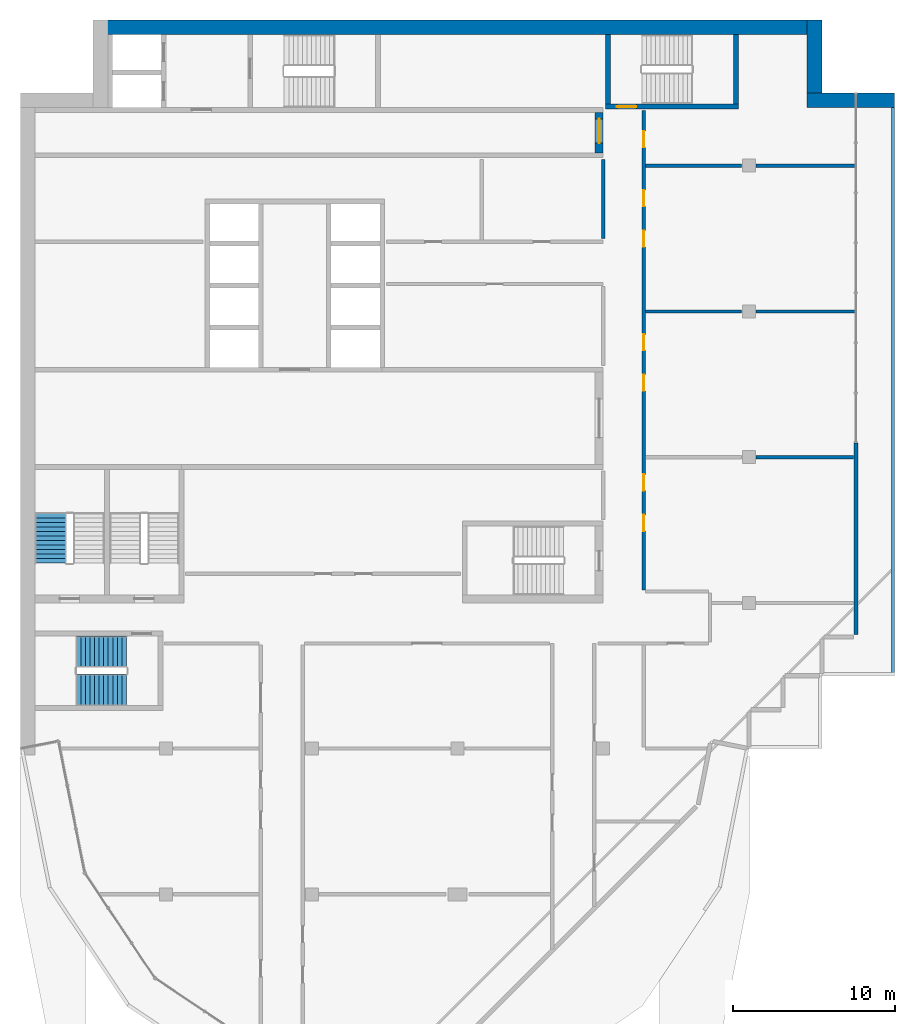
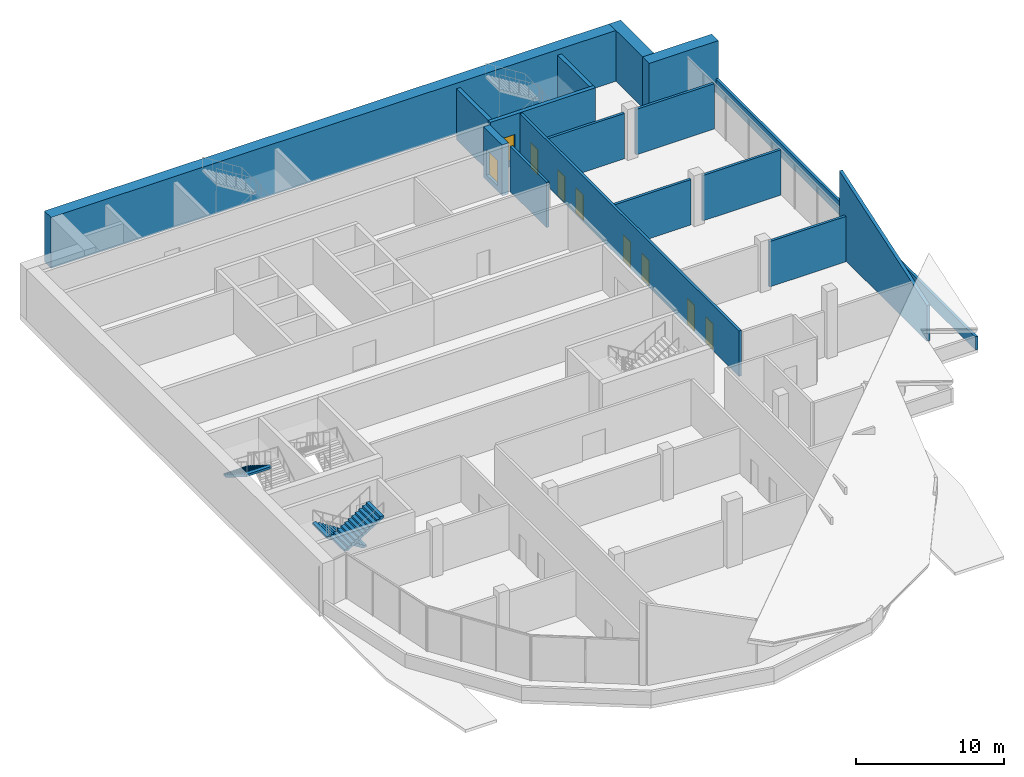
# One storey, part 7 of 11: 16 walls, 9 doors, 3 stair flights, 9 openings, 2 elements without a shape of their own.
"""IFC4 building model written with IfcOpenShell, lengths in metres."""

from ifc_helpers import new_model, si_unit, direction, frame, frame_2d, origin, place, context, subcontext, project, spatial, polyline, rectangle, outline, extrude, material, layer, layer_set, type_object, element, fill, aggregate, save


model = new_model("IFC4")

# Units and contexts
model_context = context("Model", 3, precision=1e-05, world=origin(), true_north=direction((0.0, 1.0)))
body_context = subcontext(model_context, "Body", "Model", "MODEL_VIEW")
ifc_project = project(units=[si_unit("LENGTHUNIT", "METRE"), si_unit("AREAUNIT", "SQUARE_METRE"), si_unit("VOLUMEUNIT", "CUBIC_METRE"), si_unit("PLANEANGLEUNIT", "RADIAN"), si_unit("MASSUNIT", "GRAM", prefix="KILO")], contexts=[model_context])

# Site, building, storey
site_placement = place(None, origin())
site = spatial("IfcSite", under=ifc_project, at=site_placement, CompositionType="ELEMENT")
building_placement = place(site_placement, origin())
building = spatial("IfcBuilding", under=site, at=building_placement, Name="Hunhe Ridgeline Campus", CompositionType="ELEMENT")
storey_placement = place(building_placement, frame((0.0, 0.0, 303.0)))
storey = spatial("IfcBuildingStorey", under=building, at=storey_placement, Name="L78 Crown", CompositionType="ELEMENT", Elevation=303.0)

# Wall, opening, door
ifc_material_1 = material(Name="Concrete C50", Category="concrete")
ifc_layer_1 = layer(ifc_material_1, 0.5)
ifc_layer_set_1 = layer_set([ifc_layer_1], Name="Core wall 500 reinforced concrete C50")
wall_type_1 = type_object("IfcWallType", Name="Core wall 500 reinforced concrete C50", PredefinedType="SOLIDWALL", material=ifc_layer_set_1)
wall_1_placement = place(storey_placement, frame((35.75, 90.800048828125, -0.449951171875), z_axis=(0.0, 0.0, 1.0), x_axis=(0.0, 1.0, 0.0)))
wall_1 = element("IfcWall", 1, at=wall_1_placement, inside=storey, type_object=wall_type_1, Name="L78 Crown core wall 35", PredefinedType="SOLIDWALL", context=body_context, shape_type="SweptSolid", body=[
    extrude(rectangle(XDim=2.5, YDim=0.5, at=frame_2d((1.25, 0.0))), origin(), (0.0, 0.0, 1.0), 4.199951171875),
])
opening_1_placement = place(wall_1_placement, frame((0.60009765625, 0.0, 0.449951171875)))
opening_1 = element("IfcOpeningElement", 2, at=opening_1_placement, cuts=wall_1, Name="Opening CD5", PredefinedType="OPENING", context=body_context, shape_type="SweptSolid", body=[
    extrude(rectangle(XDim=1.5, YDim=2.10009765625, at=frame_2d((0.75, 1.050048828125))), frame((0.0, 0.25, 0.0), z_axis=(0.0, -1.0, 0.0), x_axis=(1.0, 0.0, 0.0)), (0.0, 0.0, 1.0), 0.5),
])
ifc_material_2 = material(Name="Solid core timber door leaf", Category="wood")
door_type_1 = type_object("IfcDoorType", Name="Timber door 1500x2100", OperationType="SINGLE_SWING_LEFT", PredefinedType="DOOR", material=ifc_material_2)
door_1_placement = place(opening_1_placement, frame((1.5, 0.0, 0.0), z_axis=(0.0, 0.0, 1.0), x_axis=(-1.0, 0.0, 0.0)))
door_1 = element("IfcDoor", 3, at=door_1_placement, inside=storey, type_object=door_type_1, Name="L78 Crown door C1-FLOOR", OperationType="SINGLE_SWING_LEFT", OverallHeight=2.10009765625, OverallWidth=1.5, PredefinedType="DOOR", context=body_context, shape_type="SweptSolid", body=[
    extrude(rectangle(XDim=1.5, YDim=2.10009765625, at=frame_2d((0.75, 1.050048828125))), frame((0.0, 0.02490234375, 0.0), z_axis=(0.0, -1.0, 0.0), x_axis=(1.0, 0.0, 0.0)), (0.0, 0.0, 1.0), 0.050048828125),
])
fill(opening_1, door_1)

# Walls
ifc_material_3 = material(Name="Gypsum board partition")
ifc_layer_2 = layer(ifc_material_3, 0.199951171875)
ifc_layer_set_2 = layer_set([ifc_layer_2], Name="Corridor partition 200 gypsum board on steel studs")
wall_type_2 = type_object("IfcWallType", Name="Corridor partition 200 gypsum board on steel studs", PredefinedType="PARTITIONING", material=ifc_layer_set_2)
wall_2_placement = place(storey_placement, frame((45.449951171875, 72.0, 0.0), z_axis=(0.0, 0.0, 1.0), x_axis=(1.0, 0.0, 0.0)))
element("IfcWall", 4, at=wall_2_placement, inside=storey, type_object=wall_type_2, Name="F-L78 Crown-wall-019", PredefinedType="PARTITIONING", context=body_context, shape_type="SweptSolid", body=[
    extrude(rectangle(XDim=6.004150390625, YDim=0.199951171875, at=frame_2d((3.001953125, 0.0))), origin(), (0.0, 0.0, 1.0), 3.75),
])
wall_3_placement = place(storey_placement, frame((38.60009765625, 81.0, 0.0), z_axis=(0.0, 0.0, 1.0), x_axis=(1.0, 0.0, 0.0)))
element("IfcWall", 5, at=wall_3_placement, inside=storey, type_object=wall_type_2, Name="F-L78 Crown-wall-020", PredefinedType="PARTITIONING", context=body_context, shape_type="SweptSolid", body=[
    extrude(rectangle(XDim=5.949951171875, YDim=0.199951171875, at=frame_2d((2.97509765625, 0.0))), origin(), (0.0, 0.0, 1.0), 3.75),
])
wall_4_placement = place(storey_placement, frame((45.449951171875, 81.0, 0.0), z_axis=(0.0, 0.0, 1.0), x_axis=(1.0, 0.0, 0.0)))
element("IfcWall", 6, at=wall_4_placement, inside=storey, type_object=wall_type_2, Name="F-L78 Crown-wall-021", PredefinedType="PARTITIONING", context=body_context, shape_type="SweptSolid", body=[
    extrude(rectangle(XDim=6.094970703125, YDim=0.199951171875, at=frame_2d((3.04736328125, 0.0))), origin(), (0.0, 0.0, 1.0), 3.75),
])
wall_5_placement = place(storey_placement, frame((38.60009765625, 90.0, 0.0), z_axis=(0.0, 0.0, 1.0), x_axis=(1.0, 0.0, 0.0)))
element("IfcWall", 7, at=wall_5_placement, inside=storey, type_object=wall_type_2, Name="F-L78 Crown-wall-025", PredefinedType="PARTITIONING", context=body_context, shape_type="SweptSolid", body=[
    extrude(rectangle(XDim=5.949951171875, YDim=0.199951171875, at=frame_2d((2.97509765625, 0.0))), origin(), (0.0, 0.0, 1.0), 3.75),
])
wall_6_placement = place(storey_placement, frame((45.449951171875, 90.0, 0.0), z_axis=(0.0, 0.0, 1.0), x_axis=(1.0, 0.0, 0.0)))
element("IfcWall", 8, at=wall_6_placement, inside=storey, type_object=wall_type_2, Name="F-L78 Crown-wall-026", PredefinedType="PARTITIONING", context=body_context, shape_type="SweptSolid", body=[
    extrude(rectangle(XDim=6.094970703125, YDim=0.199951171875, at=frame_2d((3.04736328125, 0.0))), origin(), (0.0, 0.0, 1.0), 3.75),
])
wall_7_placement = place(storey_placement, frame((36.0, 85.4951171875, 0.0), z_axis=(0.0, 0.0, 1.0), x_axis=(0.0, 1.0, 0.0)))
element("IfcWall", 9, at=wall_7_placement, inside=storey, type_object=wall_type_2, Name="F-L78 Crown-wall-034", PredefinedType="PARTITIONING", context=body_context, shape_type="SweptSolid", body=[
    extrude(rectangle(XDim=4.90087890625, YDim=0.199951171875, at=frame_2d((2.450439453125, 0.0))), origin(), (0.0, 0.0, 1.0), 3.75),
])

# Wall, openings, doors
wall_8_placement = place(storey_placement, frame((38.5, 93.39599609375, 0.0), z_axis=(0.0, 0.0, 1.0), x_axis=(0.0, -1.0, 0.0)))
wall_8 = element("IfcWall", 10, at=wall_8_placement, inside=storey, type_object=wall_type_2, Name="F-L78 Crown-wall-036", PredefinedType="PARTITIONING", context=body_context, shape_type="SweptSolid", body=[
    extrude(rectangle(XDim=29.595947265625, YDim=0.199951171875, at=frame_2d((14.7978515625, 0.0))), origin(), (0.0, 0.0, 1.0), 3.75),
])
opening_2_placement = place(wall_8_placement, frame((24.95751953125, 0.0, 0.0)))
opening_2 = element("IfcOpeningElement", 11, at=opening_2_placement, cuts=wall_8, Name="Opening RD1-015", PredefinedType="OPENING", context=body_context, shape_type="SweptSolid", body=[
    extrude(rectangle(XDim=1.0, YDim=2.10009765625, at=frame_2d((0.5, 1.050048828125))), frame((0.0, 0.10009765625, 0.0), z_axis=(0.0, -1.0, 0.0), x_axis=(1.0, 0.0, 0.0)), (0.0, 0.0, 1.0), 0.199951171875),
])
opening_3_placement = place(wall_8_placement, frame((22.45751953125, 0.0, 0.0)))
opening_3 = element("IfcOpeningElement", 12, at=opening_3_placement, cuts=wall_8, Name="Opening RD1-016", PredefinedType="OPENING", context=body_context, shape_type="SweptSolid", body=[
    extrude(rectangle(XDim=1.0, YDim=2.10009765625, at=frame_2d((0.5, 1.050048828125))), frame((0.0, 0.10009765625, 0.0), z_axis=(0.0, -1.0, 0.0), x_axis=(1.0, 0.0, 0.0)), (0.0, 0.0, 1.0), 0.199951171875),
])
opening_4_placement = place(wall_8_placement, frame((16.304443359375, 0.0, 0.0)))
opening_4 = element("IfcOpeningElement", 13, at=opening_4_placement, cuts=wall_8, Name="Opening RD1-017", PredefinedType="OPENING", context=body_context, shape_type="SweptSolid", body=[
    extrude(rectangle(XDim=1.0, YDim=2.10009765625, at=frame_2d((0.5, 1.050048828125))), frame((0.0, 0.10009765625, 0.0), z_axis=(0.0, -1.0, 0.0), x_axis=(1.0, 0.0, 0.0)), (0.0, 0.0, 1.0), 0.199951171875),
])
opening_5_placement = place(wall_8_placement, frame((13.804443359375, 0.0, 0.0)))
opening_5 = element("IfcOpeningElement", 14, at=opening_5_placement, cuts=wall_8, Name="Opening RD1-018", PredefinedType="OPENING", context=body_context, shape_type="SweptSolid", body=[
    extrude(rectangle(XDim=1.0, YDim=2.10009765625, at=frame_2d((0.5, 1.050048828125))), frame((0.0, 0.10009765625, 0.0), z_axis=(0.0, -1.0, 0.0), x_axis=(1.0, 0.0, 0.0)), (0.0, 0.0, 1.0), 0.199951171875),
])
opening_6_placement = place(wall_8_placement, frame((7.400634765625, 0.0, 0.0)))
opening_6 = element("IfcOpeningElement", 15, at=opening_6_placement, cuts=wall_8, Name="Opening RD1-022", PredefinedType="OPENING", context=body_context, shape_type="SweptSolid", body=[
    extrude(rectangle(XDim=1.0, YDim=2.10009765625, at=frame_2d((0.5, 1.050048828125))), frame((0.0, 0.10009765625, 0.0), z_axis=(0.0, -1.0, 0.0), x_axis=(1.0, 0.0, 0.0)), (0.0, 0.0, 1.0), 0.199951171875),
])
opening_7_placement = place(wall_8_placement, frame((4.900634765625, 0.0, 0.0)))
opening_7 = element("IfcOpeningElement", 16, at=opening_7_placement, cuts=wall_8, Name="Opening RD1-023", PredefinedType="OPENING", context=body_context, shape_type="SweptSolid", body=[
    extrude(rectangle(XDim=1.0, YDim=2.10009765625, at=frame_2d((0.5, 1.050048828125))), frame((0.0, 0.10009765625, 0.0), z_axis=(0.0, -1.0, 0.0), x_axis=(1.0, 0.0, 0.0)), (0.0, 0.0, 1.0), 0.199951171875),
])
opening_8_placement = place(wall_8_placement, frame((1.255615234375, 0.0, 0.0)))
opening_8 = element("IfcOpeningElement", 17, at=opening_8_placement, cuts=wall_8, Name="Opening RD1-024", PredefinedType="OPENING", context=body_context, shape_type="SweptSolid", body=[
    extrude(rectangle(XDim=1.0, YDim=2.10009765625, at=frame_2d((0.5, 1.050048828125))), frame((0.0, 0.10009765625, 0.0), z_axis=(0.0, -1.0, 0.0), x_axis=(1.0, 0.0, 0.0)), (0.0, 0.0, 1.0), 0.199951171875),
])
ifc_material_4 = material(Name="Timber door leaf", Category="wood")
door_type_2 = type_object("IfcDoorType", Name="Single fire door 1000x2100 timber FD60", OperationType="NOTDEFINED", PredefinedType="DOOR", material=ifc_material_4)
door_2_placement = place(opening_2_placement, frame((1.0, 0.0, 0.0), z_axis=(0.0, 0.0, 1.0), x_axis=(-1.0, 0.0, 0.0)))
door_2 = element("IfcDoor", 18, at=door_2_placement, inside=storey, type_object=door_type_2, Name="F-L78 Crown-door-015", OperationType="SINGLE_SWING_LEFT", OverallHeight=2.10009765625, OverallWidth=1.0, PredefinedType="DOOR", context=body_context, shape_type="SweptSolid", body=[
    extrude(rectangle(XDim=1.0, YDim=2.10009765625, at=frame_2d((0.5, 1.050048828125))), frame((0.0, 0.02490234375, 0.0), z_axis=(0.0, -1.0, 0.0), x_axis=(1.0, 0.0, 0.0)), (0.0, 0.0, 1.0), 0.050048828125),
])
fill(opening_2, door_2)
door_3_placement = place(opening_3_placement, frame((1.0, 0.0, 0.0), z_axis=(0.0, 0.0, 1.0), x_axis=(-1.0, 0.0, 0.0)))
door_3 = element("IfcDoor", 19, at=door_3_placement, inside=storey, type_object=door_type_2, Name="F-L78 Crown-door-016", OperationType="SINGLE_SWING_RIGHT", OverallHeight=2.10009765625, OverallWidth=1.0, PredefinedType="DOOR", context=body_context, shape_type="SweptSolid", body=[
    extrude(rectangle(XDim=1.0, YDim=2.10009765625, at=frame_2d((0.5, 1.050048828125))), frame((0.0, 0.02490234375, 0.0), z_axis=(0.0, -1.0, 0.0), x_axis=(1.0, 0.0, 0.0)), (0.0, 0.0, 1.0), 0.050048828125),
])
fill(opening_3, door_3)
door_4_placement = place(opening_4_placement, frame((1.0, 0.0, 0.0), z_axis=(0.0, 0.0, 1.0), x_axis=(-1.0, 0.0, 0.0)))
door_4 = element("IfcDoor", 20, at=door_4_placement, inside=storey, type_object=door_type_2, Name="F-L78 Crown-door-017", OperationType="SINGLE_SWING_RIGHT", OverallHeight=2.10009765625, OverallWidth=1.0, PredefinedType="DOOR", context=body_context, shape_type="SweptSolid", body=[
    extrude(rectangle(XDim=1.0, YDim=2.10009765625, at=frame_2d((0.5, 1.050048828125))), frame((0.0, 0.02490234375, 0.0), z_axis=(0.0, -1.0, 0.0), x_axis=(1.0, 0.0, 0.0)), (0.0, 0.0, 1.0), 0.050048828125),
])
fill(opening_4, door_4)
door_5_placement = place(opening_5_placement, frame((1.0, 0.0, 0.0), z_axis=(0.0, 0.0, 1.0), x_axis=(-1.0, 0.0, 0.0)))
door_5 = element("IfcDoor", 21, at=door_5_placement, inside=storey, type_object=door_type_2, Name="F-L78 Crown-door-018", OperationType="SINGLE_SWING_RIGHT", OverallHeight=2.10009765625, OverallWidth=1.0, PredefinedType="DOOR", context=body_context, shape_type="SweptSolid", body=[
    extrude(rectangle(XDim=1.0, YDim=2.10009765625, at=frame_2d((0.5, 1.050048828125))), frame((0.0, 0.02490234375, 0.0), z_axis=(0.0, -1.0, 0.0), x_axis=(1.0, 0.0, 0.0)), (0.0, 0.0, 1.0), 0.050048828125),
])
fill(opening_5, door_5)
door_6_placement = place(opening_6_placement, frame((1.0, 0.0, 0.0), z_axis=(0.0, 0.0, 1.0), x_axis=(-1.0, 0.0, 0.0)))
door_6 = element("IfcDoor", 22, at=door_6_placement, inside=storey, type_object=door_type_2, Name="F-L78 Crown-door-022", OperationType="SINGLE_SWING_RIGHT", OverallHeight=2.10009765625, OverallWidth=1.0, PredefinedType="DOOR", context=body_context, shape_type="SweptSolid", body=[
    extrude(rectangle(XDim=1.0, YDim=2.10009765625, at=frame_2d((0.5, 1.050048828125))), frame((0.0, 0.02490234375, 0.0), z_axis=(0.0, -1.0, 0.0), x_axis=(1.0, 0.0, 0.0)), (0.0, 0.0, 1.0), 0.050048828125),
])
fill(opening_6, door_6)
door_7_placement = place(opening_7_placement, frame((1.0, 0.0, 0.0), z_axis=(0.0, 0.0, 1.0), x_axis=(-1.0, 0.0, 0.0)))
door_7 = element("IfcDoor", 23, at=door_7_placement, inside=storey, type_object=door_type_2, Name="F-L78 Crown-door-023", OperationType="SINGLE_SWING_RIGHT", OverallHeight=2.10009765625, OverallWidth=1.0, PredefinedType="DOOR", context=body_context, shape_type="SweptSolid", body=[
    extrude(rectangle(XDim=1.0, YDim=2.10009765625, at=frame_2d((0.5, 1.050048828125))), frame((0.0, 0.02490234375, 0.0), z_axis=(0.0, -1.0, 0.0), x_axis=(1.0, 0.0, 0.0)), (0.0, 0.0, 1.0), 0.050048828125),
])
fill(opening_7, door_7)
door_8_placement = place(opening_8_placement, frame((1.0, 0.0, 0.0), z_axis=(0.0, 0.0, 1.0), x_axis=(-1.0, 0.0, 0.0)))
door_8 = element("IfcDoor", 24, at=door_8_placement, inside=storey, type_object=door_type_2, Name="F-L78 Crown-door-024", OperationType="SINGLE_SWING_RIGHT", OverallHeight=2.10009765625, OverallWidth=1.0, PredefinedType="DOOR", context=body_context, shape_type="SweptSolid", body=[
    extrude(rectangle(XDim=1.0, YDim=2.10009765625, at=frame_2d((0.5, 1.050048828125))), frame((0.0, 0.02490234375, 0.0), z_axis=(0.0, -1.0, 0.0), x_axis=(1.0, 0.0, 0.0)), (0.0, 0.0, 1.0), 0.050048828125),
])
fill(opening_8, door_8)

# Walls
ifc_layer_3 = layer(ifc_material_1, 0.25)
ifc_layer_set_3 = layer_set([ifc_layer_3], Name="Crown cladding wall 250 Concrete C50")
wall_type_3 = type_object("IfcWallType", Name="Crown cladding wall 250 Concrete C50", PredefinedType="SOLIDWALL", material=ifc_layer_set_3)
wall_9_placement = place(storey_placement, frame((51.59912109375, 61.035888671875, 0.0), z_axis=(0.0, 0.0, 1.0), x_axis=(0.0, 1.0, 0.0)))
element("IfcWall", 25, at=wall_9_placement, inside=storey, type_object=wall_type_3, Name="Crown cladding wall", PredefinedType="SOLIDWALL", context=body_context, shape_type="SweptSolid", body=[
    extrude(outline(polyline([(0.0, 0.0), (11.84228515625, 0.0), (11.842041015625, 6.89990234375), (0.0, 2.952392578125), (0.0, 0.0)])), frame((0.0, 0.125, 0.0), z_axis=(0.0, -1.0, 0.0), x_axis=(1.0, 0.0, 0.0)), (0.0, 0.0, 1.0), 0.25),
])
ifc_material_5 = material(Name="Concrete C30", Category="concrete")
ifc_layer_4 = layer(ifc_material_5, 0.199951171875)
ifc_layer_set_4 = layer_set([ifc_layer_4], Name="Roof parapet wall 200 Concrete C30")
wall_type_4 = type_object("IfcWallType", Name="Roof parapet wall 200 Concrete C30", PredefinedType="PARAPET", material=ifc_layer_set_4)
wall_10_placement = place(storey_placement, frame((53.89990234375, 58.5, 0.0), z_axis=(0.0, 0.0, 1.0), x_axis=(0.0, 1.0, 0.0)))
element("IfcWall", 26, at=wall_10_placement, inside=storey, type_object=wall_type_4, Name="Roof parapet 12", PredefinedType="PARAPET", context=body_context, shape_type="SweptSolid", body=[
    extrude(rectangle(XDim=36.0, YDim=0.199951171875, at=frame_2d((18.0, 0.0))), origin(), (0.0, 0.0, 1.0), 1.10009765625),
])
ifc_layer_5 = layer(ifc_material_1, 0.89990234375)
ifc_layer_set_5 = layer_set([ifc_layer_5], Name="Spine wall 900 Concrete C50")
wall_type_5 = type_object("IfcWallType", Name="Spine wall 900 Concrete C50", PredefinedType="SHEAR", material=ifc_layer_set_5)
for number, where, z_axis, x_axis, name in (
    (27, (54.0, 94.050048828125, 0.0), (0.0, 0.0, 1.0), (-1.0, 0.0, 0.0), "Spine wall SW4-2 L78 Crown"),
    (28, (49.050048828125, 93.60009765625, 0.0), (0.0, 0.0, 1.0), (0.0, 1.0, 0.0), "Spine wall SW4-3 L78 Crown"),
):
    element("IfcWall", number, at=place(storey_placement, frame(where, z_axis=z_axis, x_axis=x_axis)), inside=storey, type_object=wall_type_5, Name=name, PredefinedType="SHEAR", context=body_context, shape_type="SweptSolid", body=[
        extrude(outline(polyline([(0.0, 0.0), (5.39990234375, 0.0), (5.39990234375, 4.199951171875), (0.0, 4.199951171875), (0.0, 0.0)])), frame((0.0, 0.449951171875, 0.0), z_axis=(0.0, -1.0, 0.0), x_axis=(1.0, 0.0, 0.0)), (0.0, 0.0, 1.0), 0.89990234375),
    ])
wall_11_placement = place(storey_placement, frame((49.5, 98.550048828125, 0.0), z_axis=(0.0, 0.0, 1.0), x_axis=(-1.0, 0.0, 0.0)))
element("IfcWall", 29, at=wall_11_placement, inside=storey, type_object=wall_type_5, Name="Spine wall SW4-4 L78 Crown", PredefinedType="SHEAR", context=body_context, shape_type="SweptSolid", body=[
    extrude(outline(polyline([(0.0, 0.0), (45.0, 0.0), (45.0, 4.199951171875), (0.0, 4.199951171875), (0.0, 0.0)])), frame((0.0, 0.449951171875, 0.0), z_axis=(0.0, -1.0, 0.0), x_axis=(1.0, 0.0, 0.0)), (0.0, 0.0, 1.0), 0.89990234375),
])

# Wall, opening, door
ifc_layer_6 = layer(ifc_material_1, 0.300048828125)
ifc_layer_set_6 = layer_set([ifc_layer_6], Name="Stair wall 300 reinforced concrete C50")
wall_type_6 = type_object("IfcWallType", Name="Stair wall 300 reinforced concrete C50", PredefinedType="SOLIDWALL", material=ifc_layer_set_6)
wall_12_placement = place(storey_placement, frame((36.14990234375, 93.64990234375, -0.449951171875), z_axis=(0.0, 0.0, 1.0), x_axis=(1.0, 0.0, 0.0)))
wall_12 = element("IfcWall", 30, at=wall_12_placement, inside=storey, type_object=wall_type_6, Name="L78 Crown core wall 19", PredefinedType="SOLIDWALL", context=body_context, shape_type="SweptSolid", body=[
    extrude(rectangle(XDim=8.2001953125, YDim=0.300048828125, at=frame_2d((4.10009765625, 0.0))), origin(), (0.0, 0.0, 1.0), 4.199951171875),
])
opening_9_placement = place(wall_12_placement, frame((0.699951171875, 0.0, 0.449951171875)))
opening_9 = element("IfcOpeningElement", 31, at=opening_9_placement, cuts=wall_12, Name="Opening CD17", PredefinedType="OPENING", context=body_context, shape_type="SweptSolid", body=[
    extrude(rectangle(XDim=1.199951171875, YDim=2.10009765625, at=frame_2d((0.60009765625, 1.050048828125))), frame((0.0, 0.14990234375, 0.0), z_axis=(0.0, -1.0, 0.0), x_axis=(1.0, 0.0, 0.0)), (0.0, 0.0, 1.0), 0.300048828125),
])
ifc_material_6 = material(Name="Hollow metal fire door leaf")
door_type_3 = type_object("IfcDoorType", Name="Stair door 1200x2100 FD60", OperationType="SINGLE_SWING_LEFT", PredefinedType="DOOR", material=ifc_material_6)
door_9_placement = place(opening_9_placement, frame((1.199951171875, 0.0, 0.0), z_axis=(0.0, 0.0, 1.0), x_axis=(-1.0, 0.0, 0.0)))
door_9 = element("IfcDoor", 32, at=door_9_placement, inside=storey, type_object=door_type_3, Name="L78 Crown door E1", OperationType="SINGLE_SWING_RIGHT", OverallHeight=2.10009765625, OverallWidth=1.199951171875, PredefinedType="DOOR", context=body_context, shape_type="SweptSolid", body=[
    extrude(rectangle(XDim=1.199951171875, YDim=2.10009765625, at=frame_2d((0.60009765625, 1.050048828125))), frame((0.0, 0.02490234375, 0.0), z_axis=(0.0, -1.0, 0.0), x_axis=(1.0, 0.0, 0.0)), (0.0, 0.0, 1.0), 0.050048828125),
])
fill(opening_9, door_9)

# Walls
for number, where, z_axis, x_axis, name in (
    (33, (36.300048828125, 93.800048828125, -0.449951171875), (0.0, 0.0, 1.0), (0.0, 1.0, 0.0), "L78 Crown core wall 36"),
    (34, (44.199951171875, 93.800048828125, -0.449951171875), (0.0, 0.0, 1.0), (0.0, 1.0, 0.0), "L78 Crown core wall 37"),
):
    element("IfcWall", number, at=place(storey_placement, frame(where, z_axis=z_axis, x_axis=x_axis)), inside=storey, type_object=wall_type_6, Name=name, PredefinedType="SOLIDWALL", context=body_context, shape_type="SweptSolid", body=[
        extrude(rectangle(XDim=4.300048828125, YDim=0.300048828125, at=frame_2d((2.14990234375, 0.0))), origin(), (0.0, 0.0, 1.0), 4.199951171875),
    ])

# Stair, stair flight
ifc_material_7 = material(Name="Concrete C40", Category="concrete")
stair_type = type_object("IfcStairType", Name="Reinforced concrete dog-leg stair 1950 Concrete C40", PredefinedType="HALF_TURN_STAIR", material=ifc_material_7)
stair_1_placement = place(storey_placement, origin())
stair_1 = element("IfcStair", 35, at=stair_1_placement, inside=storey, type_object=stair_type, Name="L78 Crown S3", PredefinedType="HALF_TURN_STAIR")
stair_flight_type = type_object("IfcStairFlightType", Name="Reinforced concrete stair flight 1950 Concrete C40", PredefinedType="STRAIGHT", material=ifc_material_7)
stair_flight_1_placement = place(storey_placement, frame((1.875, 68.530029296875, 2.10009765625), z_axis=(0.0, 0.0, 1.0), x_axis=(0.0, -1.0, 0.0)))
stair_flight_1 = element("IfcStairFlight", 36, at=stair_flight_1_placement, type_object=stair_flight_type, Name="ST3 flight 2", NumberOfRisers=12, NumberOfTreads=11, PredefinedType="STRAIGHT", RiserHeight=0.175, TreadLength=0.28, context=body_context, shape_type="SweptSolid", body=[
    extrude(outline(polyline([(0.0, 0.0), (0.0, 0.175048828125), (0.280029296875, 0.175048828125), (0.280029296875, 0.35009765625), (0.56005859375, 0.35009765625), (0.56005859375, 0.52490234375), (0.840087890625, 0.52490234375), (0.840087890625, 0.699951171875), (1.1201171875, 0.699951171875), (1.1201171875, 0.875), (1.39990234375, 0.875), (1.39990234375, 1.050048828125), (1.679931640625, 1.050048828125), (1.679931640625, 1.22509765625), (1.9599609375, 1.22509765625), (1.9599609375, 1.39990234375), (2.239990234375, 1.39990234375), (2.239990234375, 1.574951171875), (2.52001953125, 1.574951171875), (2.52001953125, 1.75), (2.800048828125, 1.75), (2.800048828125, 1.925048828125), (3.080078125, 1.925048828125), (3.080078125, 2.10009765625), (3.080078125, 1.748291015625), (0.28271484375, 0.0), (0.0, 0.0)])), frame((0.0, 0.97509765625, 0.0), z_axis=(0.0, -1.0, 0.0), x_axis=(1.0, 0.0, 0.0)), (0.0, 0.0, 1.0), 1.949951171875),
    extrude(outline(polyline([(0.030029296875, 0.030029296875), (0.030029296875, 0.14501953125), (0.31005859375, 0.14501953125), (0.31005859375, 0.320068359375), (0.590087890625, 0.320068359375), (0.590087890625, 0.4951171875), (0.8701171875, 0.4951171875), (0.8701171875, 0.669921875), (1.14990234375, 0.669921875), (1.14990234375, 0.844970703125), (1.429931640625, 0.844970703125), (1.429931640625, 1.02001953125), (1.7099609375, 1.02001953125), (1.7099609375, 1.195068359375), (1.989990234375, 1.195068359375), (1.989990234375, 1.3701171875), (2.27001953125, 1.3701171875), (2.27001953125, 1.544921875), (2.550048828125, 1.544921875), (2.550048828125, 1.719970703125), (2.830078125, 1.719970703125), (2.830078125, 1.89501953125), (3.050048828125, 1.89501953125), (3.050048828125, 1.764892578125), (0.274169921875, 0.030029296875), (0.030029296875, 0.030029296875)])), frame((0.0, -0.070068359375, 0.0), z_axis=(0.0, -1.0, 0.0), x_axis=(1.0, 0.0, 0.0)), (0.0, 0.0, 1.0), 0.019775390625),
    extrude(outline(polyline([(0.030029296875, 0.030029296875), (0.030029296875, 0.14501953125), (0.31005859375, 0.14501953125), (0.31005859375, 0.320068359375), (0.590087890625, 0.320068359375), (0.590087890625, 0.4951171875), (0.8701171875, 0.4951171875), (0.8701171875, 0.669921875), (1.14990234375, 0.669921875), (1.14990234375, 0.844970703125), (1.429931640625, 0.844970703125), (1.429931640625, 1.02001953125), (1.7099609375, 1.02001953125), (1.7099609375, 1.195068359375), (1.989990234375, 1.195068359375), (1.989990234375, 1.3701171875), (2.27001953125, 1.3701171875), (2.27001953125, 1.544921875), (2.550048828125, 1.544921875), (2.550048828125, 1.719970703125), (2.830078125, 1.719970703125), (2.830078125, 1.89501953125), (3.050048828125, 1.89501953125), (3.050048828125, 1.764892578125), (0.274169921875, 0.030029296875), (0.030029296875, 0.030029296875)])), frame((0.0, 0.010009765625, 0.0), z_axis=(0.0, -1.0, 0.0), x_axis=(1.0, 0.0, 0.0)), (0.0, 0.0, 1.0), 0.019775390625),
    extrude(outline(polyline([(0.030029296875, 0.030029296875), (0.030029296875, 0.14501953125), (0.31005859375, 0.14501953125), (0.31005859375, 0.320068359375), (0.590087890625, 0.320068359375), (0.590087890625, 0.4951171875), (0.8701171875, 0.4951171875), (0.8701171875, 0.669921875), (1.14990234375, 0.669921875), (1.14990234375, 0.844970703125), (1.429931640625, 0.844970703125), (1.429931640625, 1.02001953125), (1.7099609375, 1.02001953125), (1.7099609375, 1.195068359375), (1.989990234375, 1.195068359375), (1.989990234375, 1.3701171875), (2.27001953125, 1.3701171875), (2.27001953125, 1.544921875), (2.550048828125, 1.544921875), (2.550048828125, 1.719970703125), (2.830078125, 1.719970703125), (2.830078125, 1.89501953125), (3.050048828125, 1.89501953125), (3.050048828125, 1.764892578125), (0.274169921875, 0.030029296875), (0.030029296875, 0.030029296875)])), frame((0.0, 0.090087890625, 0.0), z_axis=(0.0, -1.0, 0.0), x_axis=(1.0, 0.0, 0.0)), (0.0, 0.0, 1.0), 0.019775390625),
])
aggregate(stair_1, [stair_flight_1])

# Stair, stair flights
stair_2_placement = place(storey_placement, origin())
stair_2 = element("IfcStair", 37, at=stair_2_placement, inside=storey, type_object=stair_type, Name="L78 Crown W2", PredefinedType="HALF_TURN_STAIR")
stair_flight_2_placement = place(storey_placement, frame((6.550048828125, 59.97509765625, 0.0), z_axis=(0.0, 0.0, 1.0), x_axis=(-1.0, 0.0, 0.0)))
stair_flight_2 = element("IfcStairFlight", 38, at=stair_flight_2_placement, type_object=stair_flight_type, Name="ST12 flight 1", NumberOfRisers=12, NumberOfTreads=11, PredefinedType="STRAIGHT", RiserHeight=0.175, TreadLength=0.28, context=body_context, shape_type="SweptSolid", body=[
    extrude(outline(polyline([(0.0, 0.0), (0.0, 0.175048828125), (0.280029296875, 0.175048828125), (0.280029296875, 0.35009765625), (0.56005859375, 0.35009765625), (0.56005859375, 0.52490234375), (0.840087890625, 0.52490234375), (0.840087890625, 0.699951171875), (1.1201171875, 0.699951171875), (1.1201171875, 0.875), (1.39990234375, 0.875), (1.39990234375, 1.050048828125), (1.679931640625, 1.050048828125), (1.679931640625, 1.22509765625), (1.9599609375, 1.22509765625), (1.9599609375, 1.39990234375), (2.239990234375, 1.39990234375), (2.239990234375, 1.574951171875), (2.52001953125, 1.574951171875), (2.52001953125, 1.75), (2.800048828125, 1.75), (2.800048828125, 1.925048828125), (3.080078125, 1.925048828125), (3.080078125, 2.10009765625), (3.080078125, 1.748291015625), (0.28271484375, 0.0), (0.0, 0.0)])), frame((0.0, 0.97509765625, 0.0), z_axis=(0.0, -1.0, 0.0), x_axis=(1.0, 0.0, 0.0)), (0.0, 0.0, 1.0), 1.949951171875),
    extrude(outline(polyline([(0.030029296875, 0.030029296875), (0.030029296875, 0.14501953125), (0.31005859375, 0.14501953125), (0.31005859375, 0.320068359375), (0.590087890625, 0.320068359375), (0.590087890625, 0.4951171875), (0.8701171875, 0.4951171875), (0.8701171875, 0.669921875), (1.14990234375, 0.669921875), (1.14990234375, 0.844970703125), (1.429931640625, 0.844970703125), (1.429931640625, 1.02001953125), (1.7099609375, 1.02001953125), (1.7099609375, 1.195068359375), (1.989990234375, 1.195068359375), (1.989990234375, 1.3701171875), (2.27001953125, 1.3701171875), (2.27001953125, 1.544921875), (2.550048828125, 1.544921875), (2.550048828125, 1.719970703125), (2.830078125, 1.719970703125), (2.830078125, 1.89501953125), (3.050048828125, 1.89501953125), (3.050048828125, 1.764892578125), (0.274169921875, 0.030029296875), (0.030029296875, 0.030029296875)])), frame((0.0, -0.070068359375, 0.0), z_axis=(0.0, -1.0, 0.0), x_axis=(1.0, 0.0, 0.0)), (0.0, 0.0, 1.0), 0.019775390625),
    extrude(outline(polyline([(0.030029296875, 0.030029296875), (0.030029296875, 0.14501953125), (0.31005859375, 0.14501953125), (0.31005859375, 0.320068359375), (0.590087890625, 0.320068359375), (0.590087890625, 0.4951171875), (0.8701171875, 0.4951171875), (0.8701171875, 0.669921875), (1.14990234375, 0.669921875), (1.14990234375, 0.844970703125), (1.429931640625, 0.844970703125), (1.429931640625, 1.02001953125), (1.7099609375, 1.02001953125), (1.7099609375, 1.195068359375), (1.989990234375, 1.195068359375), (1.989990234375, 1.3701171875), (2.27001953125, 1.3701171875), (2.27001953125, 1.544921875), (2.550048828125, 1.544921875), (2.550048828125, 1.719970703125), (2.830078125, 1.719970703125), (2.830078125, 1.89501953125), (3.050048828125, 1.89501953125), (3.050048828125, 1.764892578125), (0.274169921875, 0.030029296875), (0.030029296875, 0.030029296875)])), frame((0.0, 0.010009765625, 0.0), z_axis=(0.0, -1.0, 0.0), x_axis=(1.0, 0.0, 0.0)), (0.0, 0.0, 1.0), 0.019775390625),
    extrude(outline(polyline([(0.030029296875, 0.030029296875), (0.030029296875, 0.14501953125), (0.31005859375, 0.14501953125), (0.31005859375, 0.320068359375), (0.590087890625, 0.320068359375), (0.590087890625, 0.4951171875), (0.8701171875, 0.4951171875), (0.8701171875, 0.669921875), (1.14990234375, 0.669921875), (1.14990234375, 0.844970703125), (1.429931640625, 0.844970703125), (1.429931640625, 1.02001953125), (1.7099609375, 1.02001953125), (1.7099609375, 1.195068359375), (1.989990234375, 1.195068359375), (1.989990234375, 1.3701171875), (2.27001953125, 1.3701171875), (2.27001953125, 1.544921875), (2.550048828125, 1.544921875), (2.550048828125, 1.719970703125), (2.830078125, 1.719970703125), (2.830078125, 1.89501953125), (3.050048828125, 1.89501953125), (3.050048828125, 1.764892578125), (0.274169921875, 0.030029296875), (0.030029296875, 0.030029296875)])), frame((0.0, 0.090087890625, 0.0), z_axis=(0.0, -1.0, 0.0), x_axis=(1.0, 0.0, 0.0)), (0.0, 0.0, 1.0), 0.019775390625),
])
stair_flight_3_placement = place(storey_placement, frame((3.469970703125, 57.625, 2.10009765625), z_axis=(0.0, 0.0, 1.0), x_axis=(1.0, 0.0, 0.0)))
stair_flight_3 = element("IfcStairFlight", 39, at=stair_flight_3_placement, type_object=stair_flight_type, Name="ST12 flight 2", NumberOfRisers=12, NumberOfTreads=11, PredefinedType="STRAIGHT", RiserHeight=0.175, TreadLength=0.28, context=body_context, shape_type="SweptSolid", body=[
    extrude(outline(polyline([(0.0, 0.0), (0.0, 0.175048828125), (0.280029296875, 0.175048828125), (0.280029296875, 0.35009765625), (0.56005859375, 0.35009765625), (0.56005859375, 0.52490234375), (0.840087890625, 0.52490234375), (0.840087890625, 0.699951171875), (1.1201171875, 0.699951171875), (1.1201171875, 0.875), (1.39990234375, 0.875), (1.39990234375, 1.050048828125), (1.679931640625, 1.050048828125), (1.679931640625, 1.22509765625), (1.9599609375, 1.22509765625), (1.9599609375, 1.39990234375), (2.239990234375, 1.39990234375), (2.239990234375, 1.574951171875), (2.52001953125, 1.574951171875), (2.52001953125, 1.75), (2.800048828125, 1.75), (2.800048828125, 1.925048828125), (3.080078125, 1.925048828125), (3.080078125, 2.10009765625), (3.080078125, 1.748291015625), (0.28271484375, 0.0), (0.0, 0.0)])), frame((0.0, 0.97509765625, 0.0), z_axis=(0.0, -1.0, 0.0), x_axis=(1.0, 0.0, 0.0)), (0.0, 0.0, 1.0), 1.949951171875),
    extrude(outline(polyline([(0.030029296875, 0.030029296875), (0.030029296875, 0.14501953125), (0.31005859375, 0.14501953125), (0.31005859375, 0.320068359375), (0.590087890625, 0.320068359375), (0.590087890625, 0.4951171875), (0.8701171875, 0.4951171875), (0.8701171875, 0.669921875), (1.14990234375, 0.669921875), (1.14990234375, 0.844970703125), (1.429931640625, 0.844970703125), (1.429931640625, 1.02001953125), (1.7099609375, 1.02001953125), (1.7099609375, 1.195068359375), (1.989990234375, 1.195068359375), (1.989990234375, 1.3701171875), (2.27001953125, 1.3701171875), (2.27001953125, 1.544921875), (2.550048828125, 1.544921875), (2.550048828125, 1.719970703125), (2.830078125, 1.719970703125), (2.830078125, 1.89501953125), (3.050048828125, 1.89501953125), (3.050048828125, 1.764892578125), (0.274169921875, 0.030029296875), (0.030029296875, 0.030029296875)])), frame((0.0, -0.070068359375, 0.0), z_axis=(0.0, -1.0, 0.0), x_axis=(1.0, 0.0, 0.0)), (0.0, 0.0, 1.0), 0.019775390625),
    extrude(outline(polyline([(0.030029296875, 0.030029296875), (0.030029296875, 0.14501953125), (0.31005859375, 0.14501953125), (0.31005859375, 0.320068359375), (0.590087890625, 0.320068359375), (0.590087890625, 0.4951171875), (0.8701171875, 0.4951171875), (0.8701171875, 0.669921875), (1.14990234375, 0.669921875), (1.14990234375, 0.844970703125), (1.429931640625, 0.844970703125), (1.429931640625, 1.02001953125), (1.7099609375, 1.02001953125), (1.7099609375, 1.195068359375), (1.989990234375, 1.195068359375), (1.989990234375, 1.3701171875), (2.27001953125, 1.3701171875), (2.27001953125, 1.544921875), (2.550048828125, 1.544921875), (2.550048828125, 1.719970703125), (2.830078125, 1.719970703125), (2.830078125, 1.89501953125), (3.050048828125, 1.89501953125), (3.050048828125, 1.764892578125), (0.274169921875, 0.030029296875), (0.030029296875, 0.030029296875)])), frame((0.0, 0.010009765625, 0.0), z_axis=(0.0, -1.0, 0.0), x_axis=(1.0, 0.0, 0.0)), (0.0, 0.0, 1.0), 0.019775390625),
    extrude(outline(polyline([(0.030029296875, 0.030029296875), (0.030029296875, 0.14501953125), (0.31005859375, 0.14501953125), (0.31005859375, 0.320068359375), (0.590087890625, 0.320068359375), (0.590087890625, 0.4951171875), (0.8701171875, 0.4951171875), (0.8701171875, 0.669921875), (1.14990234375, 0.669921875), (1.14990234375, 0.844970703125), (1.429931640625, 0.844970703125), (1.429931640625, 1.02001953125), (1.7099609375, 1.02001953125), (1.7099609375, 1.195068359375), (1.989990234375, 1.195068359375), (1.989990234375, 1.3701171875), (2.27001953125, 1.3701171875), (2.27001953125, 1.544921875), (2.550048828125, 1.544921875), (2.550048828125, 1.719970703125), (2.830078125, 1.719970703125), (2.830078125, 1.89501953125), (3.050048828125, 1.89501953125), (3.050048828125, 1.764892578125), (0.274169921875, 0.030029296875), (0.030029296875, 0.030029296875)])), frame((0.0, 0.090087890625, 0.0), z_axis=(0.0, -1.0, 0.0), x_axis=(1.0, 0.0, 0.0)), (0.0, 0.0, 1.0), 0.019775390625),
])
aggregate(stair_2, [stair_flight_2, stair_flight_3])

save(model, "model.ifc")
